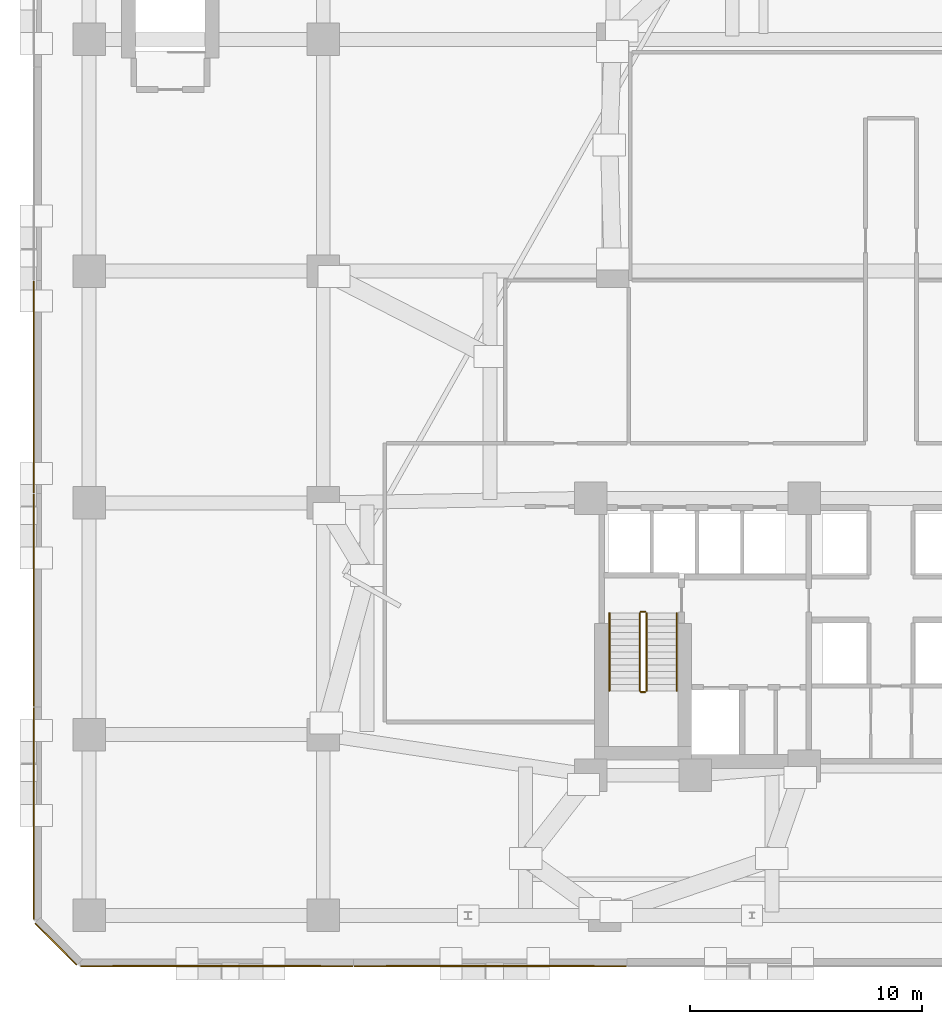
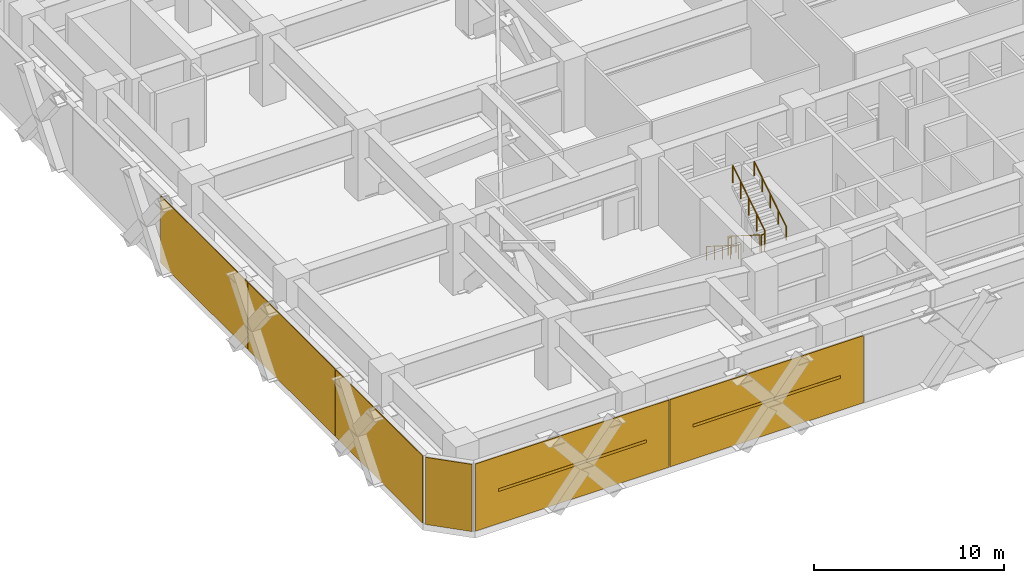
# One storey, part 12 of 14: 6 coverings, 6 railings, 2 shading devices.
"""IFC4 building model written with IfcOpenShell, lengths in metres."""

from ifc_helpers import new_model, si_unit, direction, frame, origin, origin_2d, place, context, subcontext, project, spatial, polyline, rectangle, circle, outline, extrude, material, layer, layer_set, material_profile, profile_set, type_object, element, save


model = new_model("IFC4")

# Units and contexts
model_context = context("Model", 3, precision=1e-05, world=origin(), true_north=direction((0.0, 1.0)))
body_context = subcontext(model_context, "Body", "Model", "MODEL_VIEW")
ifc_project = project(units=[si_unit("LENGTHUNIT", "METRE"), si_unit("AREAUNIT", "SQUARE_METRE"), si_unit("VOLUMEUNIT", "CUBIC_METRE"), si_unit("PLANEANGLEUNIT", "RADIAN"), si_unit("MASSUNIT", "GRAM", prefix="KILO")], contexts=[model_context])

# Site, building, storey
site_placement = place(None, origin())
site = spatial("IfcSite", under=ifc_project, at=site_placement, CompositionType="ELEMENT")
building_placement = place(site_placement, origin())
building = spatial("IfcBuilding", under=site, at=building_placement, Name="Quenlor Broadcast Tower", CompositionType="ELEMENT")
storey_placement = place(building_placement, frame((0.0, 0.0, 23.0)))
storey = spatial("IfcBuildingStorey", under=building, at=storey_placement, Name="L05", CompositionType="ELEMENT", Elevation=23.0)

# Coverings
ifc_material_1 = material(Name="Architectural Terracotta Ceramic", Category="masonry")
ifc_layer = layer(ifc_material_1, 0.044921875)
ifc_layer_set = layer_set([ifc_layer], Name="Fluted Terracotta Rainscreen Cladding Panel")
covering_type = type_object("IfcCoveringType", Name="Fluted Terracotta Rainscreen Cladding Panel", PredefinedType="CLADDING", material=ifc_layer_set)
covering_1_placement = place(storey_placement, frame((0.0, 0.0, 0.02001953125)))
element("IfcCovering", 1, at=covering_1_placement, inside=storey, type_object=covering_type, Name="L05 Terracotta Rainscreen Cladding L05-EW-S4", PredefinedType="CLADDING", context=body_context, shape_type="SweptSolid", body=[
    extrude(outline(polyline([(-11.429931640625, -24.9619140625), (-23.169921875, -24.9619140625), (-23.169921875, -25.007080078125), (-11.429931640625, -25.007080078125), (-11.429931640625, -24.9619140625)])), origin(), (0.0, 0.0, 1.0), 4.31005859375),
])
covering_2_placement = place(storey_placement, frame((0.0, 0.0, 0.02001953125)))
element("IfcCovering", 2, at=covering_2_placement, inside=storey, type_object=covering_type, Name="L05 Terracotta Rainscreen Cladding L05-EW-S5", PredefinedType="CLADDING", context=body_context, shape_type="SweptSolid", body=[
    extrude(outline(polyline([(-23.22998046875, -24.9619140625), (-34.969970703125, -24.9619140625), (-34.969970703125, -25.007080078125), (-23.22998046875, -25.007080078125), (-23.22998046875, -24.9619140625)])), origin(), (0.0, 0.0, 1.0), 4.31005859375),
])
covering_3_placement = place(storey_placement, frame((0.0, 0.0, 0.02001953125)))
element("IfcCovering", 3, at=covering_3_placement, inside=storey, type_object=covering_type, Name="L05 Terracotta Rainscreen Cladding L05-EW-W1", PredefinedType="CLADDING", context=body_context, shape_type="SweptSolid", body=[
    extrude(outline(polyline([(-36.971923828125, -22.969970703125), (-36.971923828125, -13.830078125), (-37.01708984375, -13.830078125), (-37.01708984375, -22.969970703125), (-36.971923828125, -22.969970703125)])), origin(), (0.0, 0.0, 1.0), 4.31005859375),
])
covering_4_placement = place(storey_placement, frame((0.0, 0.0, 0.02001953125)))
element("IfcCovering", 4, at=covering_4_placement, inside=storey, type_object=covering_type, Name="L05 Terracotta Rainscreen Cladding L05-EW-W2", PredefinedType="CLADDING", context=body_context, shape_type="SweptSolid", body=[
    extrude(outline(polyline([(-36.971923828125, -13.77001953125), (-36.971923828125, -4.6298828125), (-37.01708984375, -4.6298828125), (-37.01708984375, -13.77001953125), (-36.971923828125, -13.77001953125)])), origin(), (0.0, 0.0, 1.0), 4.31005859375),
])
covering_5_placement = place(storey_placement, frame((0.0, 0.0, 0.02001953125)))
element("IfcCovering", 5, at=covering_5_placement, inside=storey, type_object=covering_type, Name="L05 Terracotta Rainscreen Cladding L05-EW-W3", PredefinedType="CLADDING", context=body_context, shape_type="SweptSolid", body=[
    extrude(outline(polyline([(-36.971923828125, -4.570068359375), (-36.971923828125, 4.570068359375), (-37.01708984375, 4.570068359375), (-37.01708984375, -4.570068359375), (-36.971923828125, -4.570068359375)])), origin(), (0.0, 0.0, 1.0), 4.31005859375),
])
covering_6_placement = place(storey_placement, frame((0.0, 0.0, 0.02001953125)))
element("IfcCovering", 6, at=covering_6_placement, inside=storey, type_object=covering_type, Name="L05 Terracotta Rainscreen Cladding L05-EW-CSW", PredefinedType="CLADDING", context=body_context, shape_type="SweptSolid", body=[
    extrude(outline(polyline([(-35.128662109375, -24.90625), (-36.90625, -23.128662109375), (-36.93798828125, -23.160400390625), (-35.160400390625, -24.93798828125), (-35.128662109375, -24.90625)])), origin(), (0.0, 0.0, 1.0), 4.31005859375),
])

# Railings
ifc_material_2 = material(Name="Anodised Aluminium", Category="aluminium")
railing_type_1 = type_object("IfcRailingType", Name="Stainless Aluminium Wall Handrail 900", PredefinedType="HANDRAIL", material=ifc_material_2)
railing_1_placement = place(storey_placement, frame((-12.14990234375, -9.75, 0.177001953125)))
element("IfcRailing", 7, at=railing_1_placement, inside=storey, type_object=railing_type_1, Name="L05 ST-1 stair handrail 1", PredefinedType="HANDRAIL", context=body_context, shape_type="SweptSolid", body=[
    extrude(circle(Radius=0.02392578125, at=origin_2d()), frame((0.0, 0.0, 0.8759765625), z_axis=(0.0, -0.845389635667, 0.534150132366), x_axis=(1.0, 0.0, 0.0)), (0.0, 0.0, 1.0), 3.974609375),
    extrude(circle(Radius=0.02099609375, at=origin_2d()), origin(), (0.0, 0.0, 1.0), 0.851806640625),
    extrude(circle(Radius=0.02099609375, at=origin_2d()), frame((0.0, -0.840087890625, 0.53076171875)), (0.0, 0.0, 1.0), 0.851806640625),
    extrude(circle(Radius=0.02099609375, at=origin_2d()), frame((0.0, -1.68017578125, 1.0615234375)), (0.0, 0.0, 1.0), 0.851806640625),
    extrude(circle(Radius=0.02099609375, at=origin_2d()), frame((0.0, -2.52001953125, 1.59228515625)), (0.0, 0.0, 1.0), 0.851806640625),
    extrude(circle(Radius=0.02099609375, at=origin_2d()), frame((0.0, -3.360107421875, 2.123046875)), (0.0, 0.0, 1.0), 0.851806640625),
])
railing_2_placement = place(storey_placement, frame((-9.25, -13.110107421875, 2.476806640625)))
element("IfcRailing", 8, at=railing_2_placement, inside=storey, type_object=railing_type_1, Name="L05 ST-1 stair handrail 2", PredefinedType="HANDRAIL", context=body_context, shape_type="SweptSolid", body=[
    extrude(circle(Radius=0.02392578125, at=origin_2d()), frame((0.0, 0.0, 0.8759765625), z_axis=(0.0, 0.845361898145, 0.534194029511), x_axis=(-1.0, 0.0, 0.0)), (0.0, 0.0, 1.0), 3.974853515625),
    extrude(circle(Radius=0.02099609375, at=origin_2d()), origin(), (0.0, 0.0, 1.0), 0.851806640625),
    extrude(circle(Radius=0.02099609375, at=origin_2d()), frame((0.0, 0.840087890625, 0.53076171875)), (0.0, 0.0, 1.0), 0.851806640625),
    extrude(circle(Radius=0.02099609375, at=origin_2d()), frame((0.0, 1.68017578125, 1.0615234375)), (0.0, 0.0, 1.0), 0.851806640625),
    extrude(circle(Radius=0.02099609375, at=origin_2d()), frame((0.0, 2.52001953125, 1.592529296875)), (0.0, 0.0, 1.0), 0.851806640625),
    extrude(circle(Radius=0.02099609375, at=origin_2d()), frame((0.0, 3.360107421875, 2.123291015625)), (0.0, 0.0, 1.0), 0.851806640625),
])

# Shading devices
ifc_material_3 = material(Name="Architectural Terracotta Ceramic", Category="masonry")
ifc_material_profile = material_profile(ifc_material_3, rectangle(XDim=0.06005859375, YDim=0.179931640625, at=origin_2d()))
ifc_profile_set = profile_set([ifc_material_profile], Name="Architectural Terracotta Ceramic LVR60x180")
shading_device_type = type_object("IfcShadingDeviceType", Name="Terracotta Acoustic Plant Weather Louvre 180", PredefinedType="JALOUSIE", material=ifc_profile_set)
for number, where, z_axis, x_axis, name in (
    (9, (-12.81591796875, -24.988037109375, 2.175048828125), (-1.0, 0.0, 0.0), (0.0, -1.0, 0.0), "L05 Plant Weather Louvre L05-LV-S4"),
    (10, (-24.615966796875, -24.988037109375, 2.175048828125), (-1.0, 0.0, 0.0), (0.0, -1.0, 0.0), "L05 Plant Weather Louvre L05-LV-S5"),
):
    element("IfcShadingDevice", number, at=place(storey_placement, frame(where, z_axis=z_axis, x_axis=x_axis)), inside=storey, type_object=shading_device_type, Name=name, PredefinedType="JALOUSIE", context=body_context, shape_type="SweptSolid", body=[
        extrude(rectangle(XDim=0.06005859375, YDim=0.179931640625, at=origin_2d()), origin(), (0.0, 0.0, 1.0), 8.968017578125),
    ])

# Railings
ifc_material_4 = material(Name="Steel S355", Category="steel")
railing_type_2 = type_object("IfcRailingType", Name="Tubular Steel S355 Stair Guardrail 1100", PredefinedType="BALUSTRADE", material=ifc_material_4)
railing_3_placement = place(storey_placement, frame((-10.85009765625, -9.75, 0.177001953125)))
element("IfcRailing", 11, at=railing_3_placement, inside=storey, type_object=railing_type_2, Name="L05 ST-1 stair guard 1", PredefinedType="BALUSTRADE", context=body_context, shape_type="SweptSolid", body=[
    extrude(circle(Radius=0.02392578125, at=origin_2d()), frame((0.0, 0.0, 1.076171875), z_axis=(0.0, -0.845389635667, 0.534150132366), x_axis=(1.0, 0.0, 0.0)), (0.0, 0.0, 1.0), 3.974609375),
    extrude(circle(Radius=0.02099609375, at=origin_2d()), origin(), (0.0, 0.0, 1.0), 1.052001953125),
    extrude(circle(Radius=0.02099609375, at=origin_2d()), frame((0.0, -0.840087890625, 0.53076171875)), (0.0, 0.0, 1.0), 1.052001953125),
    extrude(circle(Radius=0.02099609375, at=origin_2d()), frame((0.0, -1.68017578125, 1.0615234375)), (0.0, 0.0, 1.0), 1.052001953125),
    extrude(circle(Radius=0.02099609375, at=origin_2d()), frame((0.0, -2.52001953125, 1.59228515625)), (0.0, 0.0, 1.0), 1.052001953125),
    extrude(circle(Radius=0.02099609375, at=origin_2d()), frame((0.0, -3.360107421875, 2.123046875)), (0.0, 0.0, 1.0), 1.052001953125),
])
railing_4_placement = place(storey_placement, frame((-10.800048828125, -13.159912109375, 2.300048828125)))
element("IfcRailing", 12, at=railing_4_placement, inside=storey, type_object=railing_type_2, Name="L05 ST-1 stair guard 2", PredefinedType="BALUSTRADE", context=body_context, shape_type="SweptSolid", body=[
    extrude(circle(Radius=0.02392578125, at=origin_2d()), frame((0.0, 0.0, 1.076171875), z_axis=(1.0, 0.0, 0.0), x_axis=(0.0, 1.0, 0.0)), (0.0, 0.0, 1.0), 0.199951171875),
    extrude(circle(Radius=0.02099609375, at=origin_2d()), origin(), (0.0, 0.0, 1.0), 1.052001953125),
    extrude(circle(Radius=0.02099609375, at=origin_2d()), frame((0.199951171875, 0.0, 0.0)), (0.0, 0.0, 1.0), 1.052001953125),
])
railing_5_placement = place(storey_placement, frame((-10.550048828125, -13.110107421875, 2.476806640625)))
element("IfcRailing", 13, at=railing_5_placement, inside=storey, type_object=railing_type_2, Name="L05 ST-1 stair guard 3", PredefinedType="BALUSTRADE", context=body_context, shape_type="SweptSolid", body=[
    extrude(circle(Radius=0.02392578125, at=origin_2d()), frame((0.0, 0.0, 1.076171875), z_axis=(0.0, 0.845361898145, 0.534194029511), x_axis=(-1.0, 0.0, 0.0)), (0.0, 0.0, 1.0), 3.974853515625),
    extrude(circle(Radius=0.02099609375, at=origin_2d()), origin(), (0.0, 0.0, 1.0), 1.052001953125),
    extrude(circle(Radius=0.02099609375, at=origin_2d()), frame((0.0, 0.840087890625, 0.53076171875)), (0.0, 0.0, 1.0), 1.052001953125),
    extrude(circle(Radius=0.02099609375, at=origin_2d()), frame((0.0, 1.68017578125, 1.0615234375)), (0.0, 0.0, 1.0), 1.052001953125),
    extrude(circle(Radius=0.02099609375, at=origin_2d()), frame((0.0, 2.52001953125, 1.592529296875)), (0.0, 0.0, 1.0), 1.052001953125),
    extrude(circle(Radius=0.02099609375, at=origin_2d()), frame((0.0, 3.360107421875, 2.123291015625)), (0.0, 0.0, 1.0), 1.052001953125),
])
railing_6_placement = place(storey_placement, frame((-10.800048828125, -9.699951171875, 0.0)))
element("IfcRailing", 14, at=railing_6_placement, inside=storey, type_object=railing_type_2, Name="L05 ST-1 stair guard 4", PredefinedType="BALUSTRADE", context=body_context, shape_type="SweptSolid", body=[
    extrude(circle(Radius=0.02392578125, at=origin_2d()), frame((0.0, 0.0, 1.076171875), z_axis=(1.0, 0.0, 0.0), x_axis=(0.0, 1.0, 0.0)), (0.0, 0.0, 1.0), 0.199951171875),
    extrude(circle(Radius=0.02099609375, at=origin_2d()), origin(), (0.0, 0.0, 1.0), 1.052001953125),
    extrude(circle(Radius=0.02099609375, at=origin_2d()), frame((0.199951171875, 0.0, 0.0)), (0.0, 0.0, 1.0), 1.052001953125),
])

save(model, "model.ifc")
